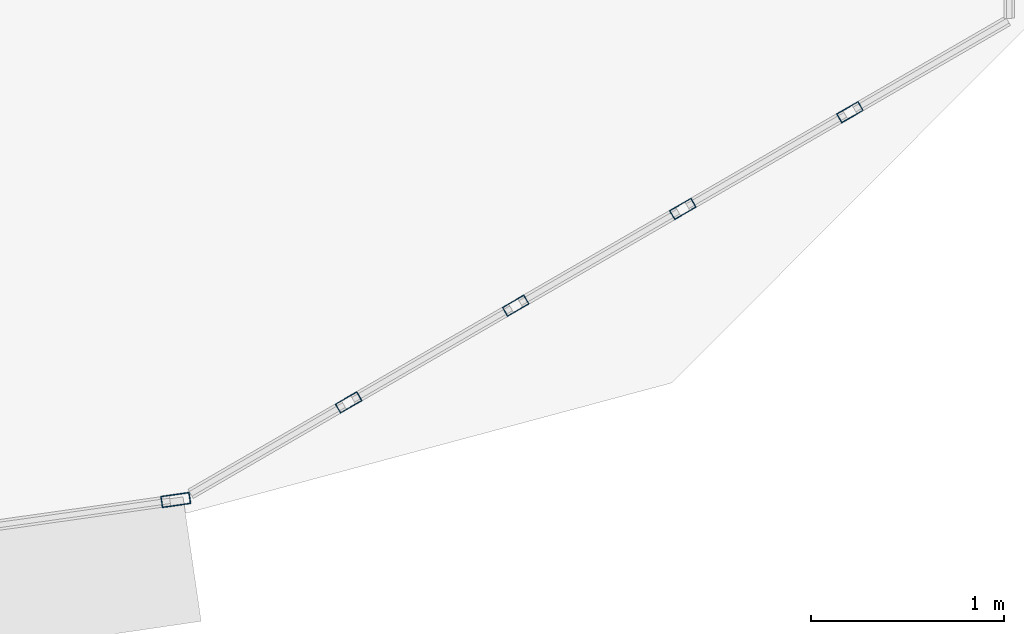
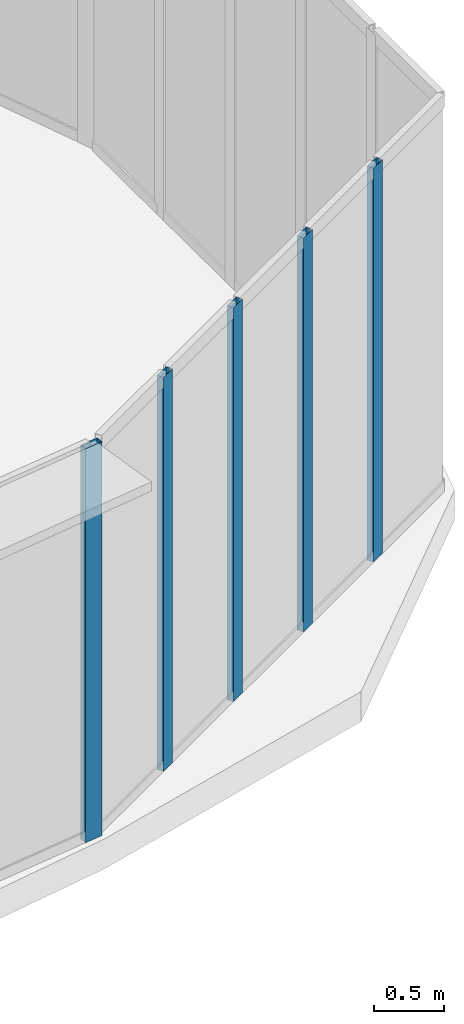
# One storey, part 22 of 42: 5 members, 2 elements without a shape of their own.
"""IFC4 building model written with IfcOpenShell, lengths in metres."""

from ifc_helpers import new_model, si_unit, direction, frame, origin, origin_2d, place, context, subcontext, project, spatial, hollow_rectangle, extrude, source, transform, mapped, material, layer, layer_set, material_profile, profile_set, type_object, element, aggregate, save


model = new_model("IFC4")

# Units and contexts
model_context = context("Model", 3, precision=1e-05, world=origin(), true_north=direction((0.0, 1.0)))
body_context = subcontext(model_context, "Body", "Model", "MODEL_VIEW")
ifc_project = project(units=[si_unit("LENGTHUNIT", "METRE"), si_unit("AREAUNIT", "SQUARE_METRE"), si_unit("VOLUMEUNIT", "CUBIC_METRE"), si_unit("PLANEANGLEUNIT", "RADIAN"), si_unit("MASSUNIT", "GRAM", prefix="KILO"), si_unit("THERMODYNAMICTEMPERATUREUNIT", "KELVIN"), si_unit("POWERUNIT", "WATT")], contexts=[model_context])

# Site, building, storey
site_placement = place(None, origin())
site = spatial("IfcSite", under=ifc_project, at=site_placement, CompositionType="ELEMENT")
building_placement = place(site_placement, origin())
building = spatial("IfcBuilding", under=site, at=building_placement, Name="Yunzhuo Pagoda Commons", CompositionType="ELEMENT")
storey_placement = place(building_placement, frame((0.0, 0.0, 129.830078125)))
storey = spatial("IfcBuildingStorey", under=building, at=storey_placement, Name="L32", CompositionType="ELEMENT", Elevation=129.830078125)

# Curtain wall, member
ifc_material = material(Name="Anodized aluminium 6063-T6", Category="aluminium")
ifc_layer_1 = layer(ifc_material, 0.14990234375)
ifc_layer_set_1 = layer_set([ifc_layer_1], Name="Anodized aluminium 6063-T6")
curtain_wall_type_1 = type_object("IfcCurtainWallType", Name="CW-MID Mid-Zone Ribbon Curtain Wall", PredefinedType="NOTDEFINED", material=ifc_layer_set_1)
curtain_wall_1_placement = place(storey_placement, origin())
curtain_wall_1 = element("IfcCurtainWall", 1, at=curtain_wall_1_placement, inside=storey, type_object=curtain_wall_type_1, Name="L32 curtain wall CW-L32-F1B5", PredefinedType="NOTDEFINED")
ifc_material_profile_1 = material_profile(ifc_material, hollow_rectangle(XDim=0.06005859375, YDim=0.14990234375, WallThickness=0.00390625, at=origin_2d()), Name="Anodized aluminium 6063-T6")
ifc_profile_set_1 = profile_set([ifc_material_profile_1], Name="Anodized aluminium 6063-T6")
member_type_1 = type_object("IfcMemberType", Name="CW-MID-M Mullion RHS 150x60x4", PredefinedType="MULLION", material=ifc_profile_set_1)
shared_shape_1 = source(origin(), body_context, "Body", "SweptSolid", [
    extrude(hollow_rectangle(XDim=0.06005859375, YDim=0.14990234375, WallThickness=0.00390625, at=origin_2d()), origin(), (0.0, 0.0, 1.0), 3.419921875),
])
member_1_placement = place(storey_placement, frame((83.9423828125, 16.254638671875, 0.0), z_axis=(0.0, 0.0, 1.0), x_axis=(-0.140026939768, 0.990147694104, 0.0)))
member_1 = element("IfcMember", 2, at=member_1_placement, type_object=member_type_1, Name="CW mullion 2", PredefinedType="MULLION", context=body_context, shape_type="MappedRepresentation", body=[
    mapped(shared_shape_1, transform((0.0, 0.0, 0.0), scale=1.0)),
])
aggregate(curtain_wall_1, [member_1])

# Curtain wall, members
ifc_layer_2 = layer(ifc_material, 0.1298828125)
ifc_layer_set_2 = layer_set([ifc_layer_2], Name="Anodized aluminium 6063-T6")
curtain_wall_type_2 = type_object("IfcCurtainWallType", Name="CW-VTX Rounded Corner Curtain Wall", PredefinedType="NOTDEFINED", material=ifc_layer_set_2)
curtain_wall_2_placement = place(storey_placement, origin())
curtain_wall_2 = element("IfcCurtainWall", 3, at=curtain_wall_2_placement, inside=storey, type_object=curtain_wall_type_2, Name="L32 curtain wall CW-L32-VTX2S1", PredefinedType="NOTDEFINED")
ifc_material_profile_2 = material_profile(ifc_material, hollow_rectangle(XDim=0.054931640625, YDim=0.1298828125, WallThickness=0.00341796875, at=origin_2d()), Name="Anodized aluminium 6063-T6")
ifc_profile_set_2 = profile_set([ifc_material_profile_2], Name="Anodized aluminium 6063-T6")
member_type_2 = type_object("IfcMemberType", Name="CW-VTX-M Mullion RHS 130x55x3.5", PredefinedType="MULLION", material=ifc_profile_set_2)
shared_shape_2 = source(origin(), body_context, "Body", "SweptSolid", [
    extrude(hollow_rectangle(XDim=0.054931640625, YDim=0.1298828125, WallThickness=0.00341796875, at=origin_2d()), origin(), (0.0, 0.0, 1.0), 3.419921875),
])
member_2_placement = place(storey_placement, frame((84.836181640625, 16.759033203125, 0.0), z_axis=(0.0, 0.0, 1.0), x_axis=(-0.501037850191, 0.865425370946, 0.0)))
member_2 = element("IfcMember", 4, at=member_2_placement, type_object=member_type_2, Name="CW mullion 2", PredefinedType="MULLION", context=body_context, shape_type="MappedRepresentation", body=[
    mapped(shared_shape_2, transform((0.0, 0.0, 0.0), scale=1.0)),
])
member_3_placement = place(storey_placement, frame((85.69970703125, 17.259033203125, 0.0), z_axis=(0.0, 0.0, 1.0), x_axis=(-0.501037850191, 0.865425370946, 0.0)))
member_3 = element("IfcMember", 5, at=member_3_placement, type_object=member_type_2, Name="CW mullion 3", PredefinedType="MULLION", context=body_context, shape_type="MappedRepresentation", body=[
    mapped(shared_shape_2, transform((0.0, 0.0, 0.0), scale=1.0)),
])
member_4_placement = place(storey_placement, frame((86.5634765625, 17.75927734375, 0.0), z_axis=(0.0, 0.0, 1.0), x_axis=(-0.501037850191, 0.865425370946, 0.0)))
member_4 = element("IfcMember", 6, at=member_4_placement, type_object=member_type_2, Name="CW mullion 4", PredefinedType="MULLION", context=body_context, shape_type="MappedRepresentation", body=[
    mapped(shared_shape_2, transform((0.0, 0.0, 0.0), scale=1.0)),
])
member_5_placement = place(storey_placement, frame((87.42724609375, 18.25927734375, 0.0), z_axis=(0.0, 0.0, 1.0), x_axis=(-0.501037850191, 0.865425370946, 0.0)))
member_5 = element("IfcMember", 7, at=member_5_placement, type_object=member_type_2, Name="CW mullion 5", PredefinedType="MULLION", context=body_context, shape_type="MappedRepresentation", body=[
    mapped(shared_shape_2, transform((0.0, 0.0, 0.0), scale=1.0)),
])
aggregate(curtain_wall_2, [member_2, member_3, member_4, member_5])

save(model, "model.ifc")
